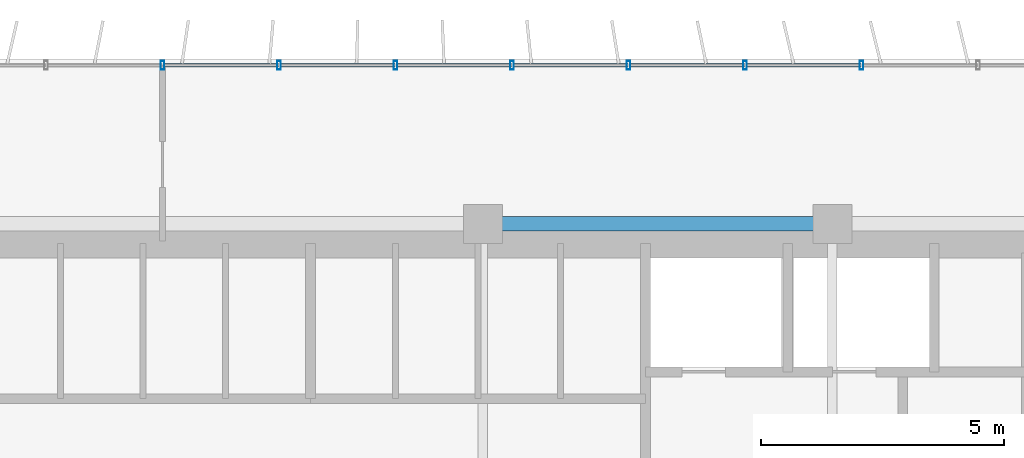
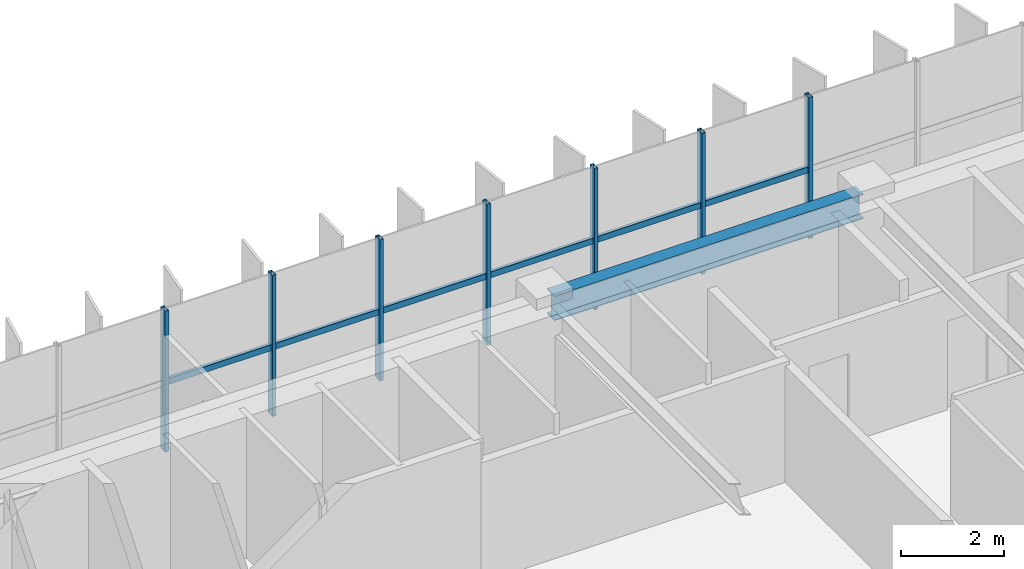
# One storey, part 9 of 22: 13 members, 1 beam, 1 element without a shape of its own.
"""IFC4 building model written with IfcOpenShell, lengths in metres."""

from ifc_helpers import new_model, si_unit, direction, frame, origin, origin_2d, place, context, subcontext, project, spatial, hollow_rectangle, i_section, extrude, source, transform, mapped, material, material_profile, profile_set, type_object, element, aggregate, save


model = new_model("IFC4")

# Units and contexts
model_context = context("Model", 3, precision=1e-05, world=origin(), true_north=direction((0.0, 1.0)))
body_context = subcontext(model_context, "Body", "Model", "MODEL_VIEW")
ifc_project = project(units=[si_unit("LENGTHUNIT", "METRE"), si_unit("AREAUNIT", "SQUARE_METRE"), si_unit("VOLUMEUNIT", "CUBIC_METRE"), si_unit("PLANEANGLEUNIT", "RADIAN"), si_unit("MASSUNIT", "GRAM", prefix="KILO")], contexts=[model_context])

# Site, building, storey
site_placement = place(None, origin())
site = spatial("IfcSite", under=ifc_project, at=site_placement, CompositionType="ELEMENT")
building_placement = place(site_placement, origin())
building = spatial("IfcBuilding", under=site, at=building_placement, Name="Trelvane Seafront Commons", CompositionType="ELEMENT")
storey_placement = place(building_placement, frame((0.0, 0.0, 117.699951171875)))
storey = spatial("IfcBuildingStorey", under=building, at=storey_placement, Name="L30", CompositionType="ELEMENT", Elevation=117.699951171875)

# Beam
ifc_material_1 = material(Name="Steel SM355 (S355)", Category="steel")
ifc_material_profile_1 = material_profile(ifc_material_1, i_section(OverallWidth=0.300048828125, OverallDepth=0.587890625, WebThickness=0.011962890625, FlangeThickness=0.02001953125, at=origin_2d()), Name="H-588x300x12x20")
ifc_profile_set_1 = profile_set([ifc_material_profile_1], Name="Steel SM355 (S355)")
beam_type = type_object("IfcBeamType", Name="STR-BM-H588", PredefinedType="BEAM", material=ifc_profile_set_1)
shared_shape_1 = source(origin(), body_context, "Body", "SweptSolid", [
    extrude(i_section(OverallWidth=0.300048828125, OverallDepth=0.587890625, WebThickness=0.011962890625, FlangeThickness=0.02001953125, at=origin_2d()), origin(), (0.0, 0.0, 1.0), 6.900146484375),
])
beam_placement = place(storey_placement, frame((43.949951171875, 45.10009765625, 3.046142578125), z_axis=(1.0, 0.0, 0.0), x_axis=(0.0, 1.0, 0.0)))
element("IfcBeam", 1, at=beam_placement, inside=storey, type_object=beam_type, Name="L30 Primary Girder G-33", PredefinedType="BEAM", context=body_context, shape_type="MappedRepresentation", body=[
    mapped(shared_shape_1, transform((0.0, 0.0, 0.0), x_axis=(1.0, 0.0, 0.0), y_axis=(0.0, 1.0, 0.0), z_axis=(0.0, 0.0, 1.0), scale=1.0)),
])

# Curtain wall, members
ifc_material_2 = material(Name="Anodised pale-silver aluminium", Category="aluminium")
curtain_wall_type = type_object("IfcCurtainWallType", Name="ARCH-CW4-SKYLOBBY", PredefinedType="NOTDEFINED", material=ifc_material_2)
curtain_wall_placement = place(storey_placement, origin())
curtain_wall = element("IfcCurtainWall", 2, at=curtain_wall_placement, inside=storey, type_object=curtain_wall_type, Name="CW-L30-0055", PredefinedType="NOTDEFINED")
ifc_material_profile_2 = material_profile(ifc_material_2, hollow_rectangle(XDim=0.074951171875, YDim=0.139892578125, WallThickness=0.00390625, at=origin_2d()), Name="TRAN-75x140x4")
ifc_profile_set_2 = profile_set([ifc_material_profile_2], Name="Anodised pale-silver aluminium")
member_type_1 = type_object("IfcMemberType", Name="ARCH-CW-TRAN-140", PredefinedType="USERDEFINED", material=ifc_profile_set_2)
shared_shape_2 = source(origin(), body_context, "Body", "SweptSolid", [
    extrude(hollow_rectangle(XDim=0.074951171875, YDim=0.139892578125, WallThickness=0.00390625, at=origin_2d()), origin(), (0.0, 0.0, 1.0), 2.3759765625),
])
member_1_placement = place(storey_placement, frame((37.2119140625, 48.3701171875, 1.60302734375), z_axis=(1.0, 0.0, 0.0), x_axis=(0.0, 1.0, 0.0)))
member_1 = element("IfcMember", 3, at=member_1_placement, type_object=member_type_1, Name="CW-L30-0055-T09", ObjectType="TRANSOM", PredefinedType="USERDEFINED", context=body_context, shape_type="MappedRepresentation", body=[
    mapped(shared_shape_2, transform((0.0, 0.0, 0.0), x_axis=(1.0, 0.0, 0.0), y_axis=(0.0, 1.0, 0.0), z_axis=(0.0, 0.0, 1.0), scale=1.0)),
])
member_2_placement = place(storey_placement, frame((39.612060546875, 48.3701171875, 1.60302734375), z_axis=(1.0, 0.0, 0.0), x_axis=(0.0, 1.0, 0.0)))
member_2 = element("IfcMember", 4, at=member_2_placement, type_object=member_type_1, Name="CW-L30-0055-T10", ObjectType="TRANSOM", PredefinedType="USERDEFINED", context=body_context, shape_type="MappedRepresentation", body=[
    mapped(shared_shape_2, transform((0.0, 0.0, 0.0), x_axis=(1.0, 0.0, 0.0), y_axis=(0.0, 1.0, 0.0), z_axis=(0.0, 0.0, 1.0), scale=1.0)),
])
member_3_placement = place(storey_placement, frame((42.011962890625, 48.3701171875, 1.60302734375), z_axis=(1.0, 0.0, 0.0), x_axis=(0.0, 1.0, 0.0)))
member_3 = element("IfcMember", 5, at=member_3_placement, type_object=member_type_1, Name="CW-L30-0055-T11", ObjectType="TRANSOM", PredefinedType="USERDEFINED", context=body_context, shape_type="MappedRepresentation", body=[
    mapped(shared_shape_2, transform((0.0, 0.0, 0.0), x_axis=(1.0, 0.0, 0.0), y_axis=(0.0, 1.0, 0.0), z_axis=(0.0, 0.0, 1.0), scale=1.0)),
])
member_4_placement = place(storey_placement, frame((44.412109375, 48.3701171875, 1.60302734375), z_axis=(1.0, 0.0, 0.0), x_axis=(0.0, 1.0, 0.0)))
member_4 = element("IfcMember", 6, at=member_4_placement, type_object=member_type_1, Name="CW-L30-0055-T12", ObjectType="TRANSOM", PredefinedType="USERDEFINED", context=body_context, shape_type="MappedRepresentation", body=[
    mapped(shared_shape_2, transform((0.0, 0.0, 0.0), x_axis=(1.0, 0.0, 0.0), y_axis=(0.0, 1.0, 0.0), z_axis=(0.0, 0.0, 1.0), scale=1.0)),
])
member_5_placement = place(storey_placement, frame((46.81201171875, 48.3701171875, 1.60302734375), z_axis=(1.0, 0.0, 0.0), x_axis=(0.0, 1.0, 0.0)))
member_5 = element("IfcMember", 7, at=member_5_placement, type_object=member_type_1, Name="CW-L30-0055-T13", ObjectType="TRANSOM", PredefinedType="USERDEFINED", context=body_context, shape_type="MappedRepresentation", body=[
    mapped(shared_shape_2, transform((0.0, 0.0, 0.0), x_axis=(1.0, 0.0, 0.0), y_axis=(0.0, 1.0, 0.0), z_axis=(0.0, 0.0, 1.0), scale=1.0)),
])
member_6_placement = place(storey_placement, frame((49.2119140625, 48.3701171875, 1.60302734375), z_axis=(1.0, 0.0, 0.0), x_axis=(0.0, 1.0, 0.0)))
member_6 = element("IfcMember", 8, at=member_6_placement, type_object=member_type_1, Name="CW-L30-0055-T14", ObjectType="TRANSOM", PredefinedType="USERDEFINED", context=body_context, shape_type="MappedRepresentation", body=[
    mapped(shared_shape_2, transform((0.0, 0.0, 0.0), x_axis=(1.0, 0.0, 0.0), y_axis=(0.0, 1.0, 0.0), z_axis=(0.0, 0.0, 1.0), scale=1.0)),
])
ifc_material_profile_3 = material_profile(ifc_material_2, hollow_rectangle(XDim=0.080078125, YDim=0.179931640625, WallThickness=0.00439453125, at=origin_2d()), Name="MULL-80x180x4.5")
ifc_profile_set_3 = profile_set([ifc_material_profile_3], Name="Anodised pale-silver aluminium")
member_type_2 = type_object("IfcMemberType", Name="ARCH-CW-MULL-180", PredefinedType="MULLION", material=ifc_profile_set_3)
shared_shape_3 = source(origin(), body_context, "Body", "SweptSolid", [
    extrude(hollow_rectangle(XDim=0.080078125, YDim=0.179931640625, WallThickness=0.00439453125, at=origin_2d()), origin(), (0.0, 0.0, 1.0), 3.340087890625),
])
member_7_placement = place(storey_placement, frame((37.199951171875, 48.3701171875, 0.0), z_axis=(0.0, 0.0, 1.0), x_axis=(1.0, 0.0, 0.0)))
member_7 = element("IfcMember", 9, at=member_7_placement, type_object=member_type_2, Name="CW-L30-0055-M09", PredefinedType="MULLION", context=body_context, shape_type="MappedRepresentation", body=[
    mapped(shared_shape_3, transform((0.0, 0.0, 0.0), x_axis=(1.0, 0.0, 0.0), y_axis=(0.0, 1.0, 0.0), z_axis=(0.0, 0.0, 1.0), scale=1.0)),
])
member_8_placement = place(storey_placement, frame((39.60009765625, 48.3701171875, 0.0), z_axis=(0.0, 0.0, 1.0), x_axis=(1.0, 0.0, 0.0)))
member_8 = element("IfcMember", 10, at=member_8_placement, type_object=member_type_2, Name="CW-L30-0055-M10", PredefinedType="MULLION", context=body_context, shape_type="MappedRepresentation", body=[
    mapped(shared_shape_3, transform((0.0, 0.0, 0.0), x_axis=(1.0, 0.0, 0.0), y_axis=(0.0, 1.0, 0.0), z_axis=(0.0, 0.0, 1.0), scale=1.0)),
])
member_9_placement = place(storey_placement, frame((42.0, 48.3701171875, 0.0), z_axis=(0.0, 0.0, 1.0), x_axis=(1.0, 0.0, 0.0)))
member_9 = element("IfcMember", 11, at=member_9_placement, type_object=member_type_2, Name="CW-L30-0055-M11", PredefinedType="MULLION", context=body_context, shape_type="MappedRepresentation", body=[
    mapped(shared_shape_3, transform((0.0, 0.0, 0.0), x_axis=(1.0, 0.0, 0.0), y_axis=(0.0, 1.0, 0.0), z_axis=(0.0, 0.0, 1.0), scale=1.0)),
])
member_10_placement = place(storey_placement, frame((44.39990234375, 48.3701171875, 0.0), z_axis=(0.0, 0.0, 1.0), x_axis=(1.0, 0.0, 0.0)))
member_10 = element("IfcMember", 12, at=member_10_placement, type_object=member_type_2, Name="CW-L30-0055-M12", PredefinedType="MULLION", context=body_context, shape_type="MappedRepresentation", body=[
    mapped(shared_shape_3, transform((0.0, 0.0, 0.0), x_axis=(1.0, 0.0, 0.0), y_axis=(0.0, 1.0, 0.0), z_axis=(0.0, 0.0, 1.0), scale=1.0)),
])
member_11_placement = place(storey_placement, frame((46.800048828125, 48.3701171875, 0.0), z_axis=(0.0, 0.0, 1.0), x_axis=(1.0, 0.0, 0.0)))
member_11 = element("IfcMember", 13, at=member_11_placement, type_object=member_type_2, Name="CW-L30-0055-M13", PredefinedType="MULLION", context=body_context, shape_type="MappedRepresentation", body=[
    mapped(shared_shape_3, transform((0.0, 0.0, 0.0), x_axis=(1.0, 0.0, 0.0), y_axis=(0.0, 1.0, 0.0), z_axis=(0.0, 0.0, 1.0), scale=1.0)),
])
member_12_placement = place(storey_placement, frame((49.199951171875, 48.3701171875, 0.0), z_axis=(0.0, 0.0, 1.0), x_axis=(1.0, 0.0, 0.0)))
member_12 = element("IfcMember", 14, at=member_12_placement, type_object=member_type_2, Name="CW-L30-0055-M14", PredefinedType="MULLION", context=body_context, shape_type="MappedRepresentation", body=[
    mapped(shared_shape_3, transform((0.0, 0.0, 0.0), x_axis=(1.0, 0.0, 0.0), y_axis=(0.0, 1.0, 0.0), z_axis=(0.0, 0.0, 1.0), scale=1.0)),
])
member_13_placement = place(storey_placement, frame((51.60009765625, 48.3701171875, 0.0), z_axis=(0.0, 0.0, 1.0), x_axis=(1.0, 0.0, 0.0)))
member_13 = element("IfcMember", 15, at=member_13_placement, type_object=member_type_2, Name="CW-L30-0055-M15", PredefinedType="MULLION", context=body_context, shape_type="MappedRepresentation", body=[
    mapped(shared_shape_3, transform((0.0, 0.0, 0.0), x_axis=(1.0, 0.0, 0.0), y_axis=(0.0, 1.0, 0.0), z_axis=(0.0, 0.0, 1.0), scale=1.0)),
])
aggregate(curtain_wall, [member_7, member_8, member_9, member_10, member_11, member_12, member_13, member_1, member_2, member_3, member_4, member_5, member_6])

save(model, "model.ifc")
